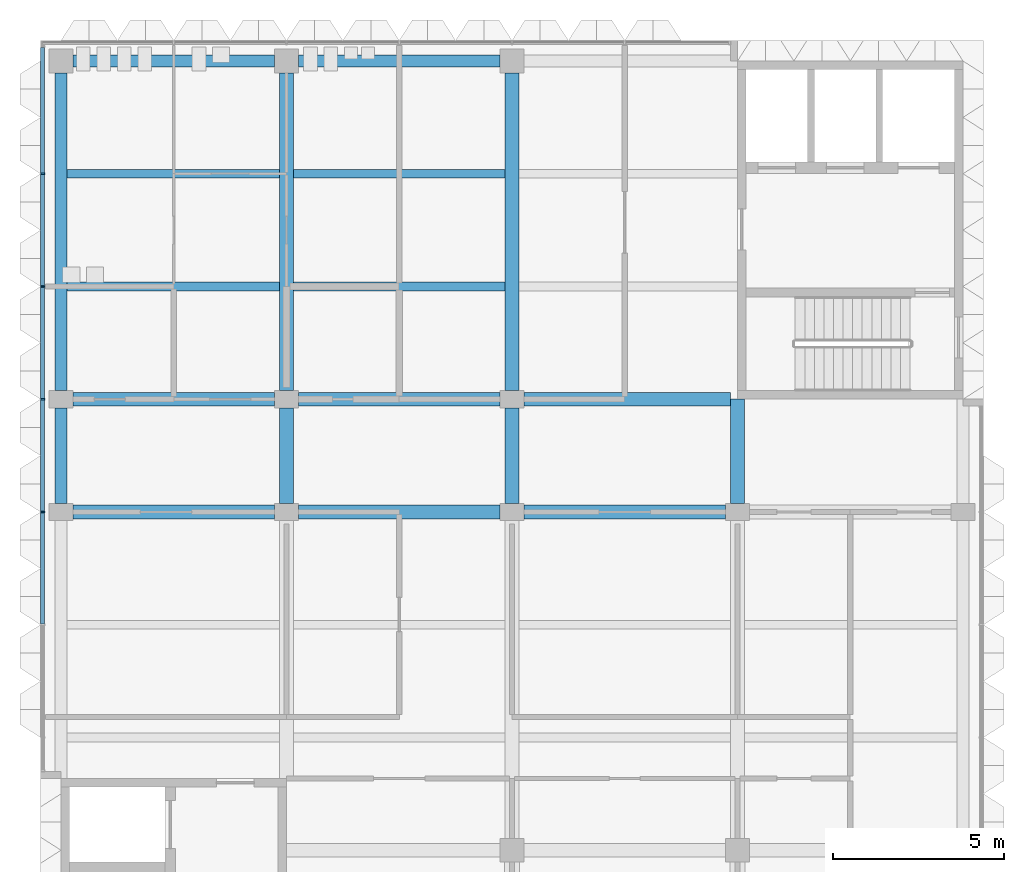
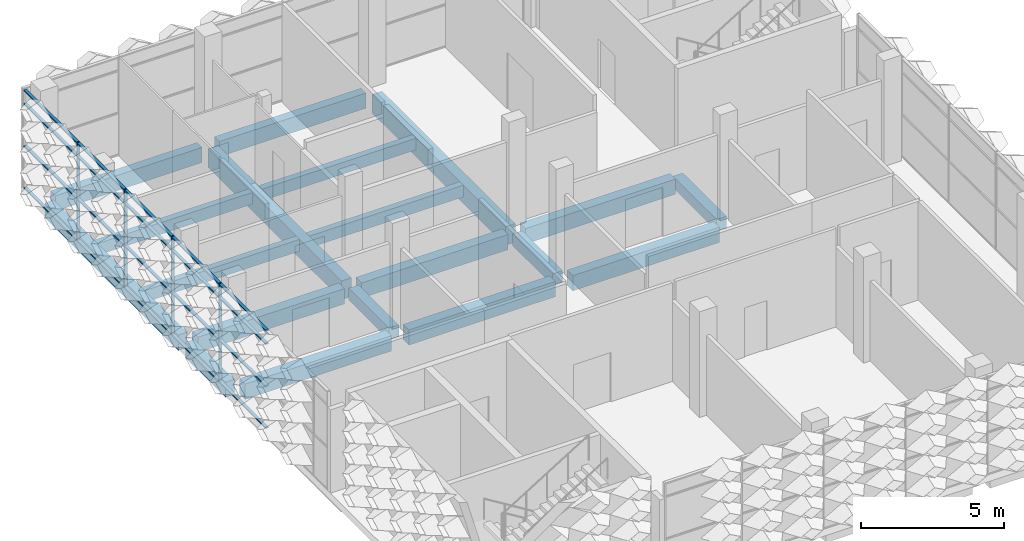
# One storey, part 4 of 28: 24 members, 19 beams, 1 element without a shape of its own.
"""IFC4 building model written with IfcOpenShell, lengths in metres."""

from ifc_helpers import new_model, si_unit, direction, frame, origin, origin_2d, place, context, subcontext, project, spatial, rectangle, extrude, material, material_profile, profile_set, type_object, element, aggregate, save


model = new_model("IFC4")

# Units and contexts
model_context = context("Model", 3, precision=1e-05, world=origin(), true_north=direction((0.0, 1.0)))
body_context = subcontext(model_context, "Body", "Model", "MODEL_VIEW")
ifc_project = project(units=[si_unit("LENGTHUNIT", "METRE"), si_unit("AREAUNIT", "SQUARE_METRE"), si_unit("VOLUMEUNIT", "CUBIC_METRE"), si_unit("PLANEANGLEUNIT", "RADIAN"), si_unit("MASSUNIT", "GRAM", prefix="KILO")], contexts=[model_context])

# Site, building, storey
site_placement = place(None, origin())
site = spatial("IfcSite", under=ifc_project, at=site_placement, CompositionType="ELEMENT")
building_placement = place(site_placement, origin())
building = spatial("IfcBuilding", under=site, at=building_placement, Name="Lantern Court Research Institute", CompositionType="ELEMENT")
storey_placement = place(building_placement, frame((0.0, 0.0, 36.89990234375)))
storey = spatial("IfcBuildingStorey", under=building, at=storey_placement, Name="L08", CompositionType="ELEMENT", Elevation=36.89990234375)

# Curtain wall, members
ifc_material_1 = material(Name="Aluminium alloy 6063-T6", Category="aluminium")
curtain_wall_type = type_object("IfcCurtainWallType", Name="Curtain wall 21250 x 4200 x 120 aluminium frame", PredefinedType="NOTDEFINED", material=ifc_material_1)
curtain_wall_placement = place(storey_placement, origin())
curtain_wall = element("IfcCurtainWall", 1, at=curtain_wall_placement, inside=storey, type_object=curtain_wall_type, Name="Curtain wall CW088", PredefinedType="NOTDEFINED")
ifc_material_2 = material(Name="Aluminium alloy 6063-T6", Category="aluminium")
ifc_material_profile_1 = material_profile(ifc_material_2, rectangle(XDim=0.1201171875, YDim=0.050048828125, at=origin_2d()), Name="Mullion 120 x 50")
ifc_profile_set_1 = profile_set([ifc_material_profile_1], Name="Aluminium alloy 6063-T6")
member_type_1 = type_object("IfcMemberType", Name="Mullion 120 x 50 aluminium", PredefinedType="MULLION", material=ifc_profile_set_1)
member_1_placement = place(storey_placement, frame((52.260009765625, 9.89990234375, 0.0), z_axis=(0.0, 0.0, 1.0), x_axis=(-1.0, 0.0, 0.0)))
member_1 = element("IfcMember", 2, at=member_1_placement, type_object=member_type_1, Name="CW088 mullion 4", PredefinedType="MULLION", context=body_context, shape_type="SweptSolid", body=[
    extrude(rectangle(XDim=0.1201171875, YDim=0.050048828125, at=origin_2d()), origin(), (0.0, 0.0, 1.0), 4.2001953125),
])
member_2_placement = place(storey_placement, frame((52.260009765625, 13.199951171875, 0.0), z_axis=(0.0, 0.0, 1.0), x_axis=(-1.0, 0.0, 0.0)))
member_2 = element("IfcMember", 3, at=member_2_placement, type_object=member_type_1, Name="CW088 mullion 5", PredefinedType="MULLION", context=body_context, shape_type="SweptSolid", body=[
    extrude(rectangle(XDim=0.1201171875, YDim=0.050048828125, at=origin_2d()), origin(), (0.0, 0.0, 1.0), 4.2001953125),
])
member_3_placement = place(storey_placement, frame((52.260009765625, 16.5, 0.0), z_axis=(0.0, 0.0, 1.0), x_axis=(-1.0, 0.0, 0.0)))
member_3 = element("IfcMember", 4, at=member_3_placement, type_object=member_type_1, Name="CW088 mullion 6", PredefinedType="MULLION", context=body_context, shape_type="SweptSolid", body=[
    extrude(rectangle(XDim=0.1201171875, YDim=0.050048828125, at=origin_2d()), origin(), (0.0, 0.0, 1.0), 4.2001953125),
])
member_4_placement = place(storey_placement, frame((52.260009765625, 19.800048828125, 0.0), z_axis=(0.0, 0.0, 1.0), x_axis=(-1.0, 0.0, 0.0)))
member_4 = element("IfcMember", 5, at=member_4_placement, type_object=member_type_1, Name="CW088 mullion 7", PredefinedType="MULLION", context=body_context, shape_type="SweptSolid", body=[
    extrude(rectangle(XDim=0.1201171875, YDim=0.050048828125, at=origin_2d()), origin(), (0.0, 0.0, 1.0), 4.2001953125),
])

# Beams
ifc_material_3 = material(Name="Concrete C40/50", Category="concrete")
ifc_material_profile_2 = material_profile(ifc_material_3, rectangle(XDim=0.39990234375, YDim=0.64990234375, at=origin_2d()), Name="RC beam 400 x 650")
ifc_profile_set_2 = profile_set([ifc_material_profile_2], Name="Concrete C40/50")
beam_type_1 = type_object("IfcBeamType", Name="RC beam 400 x 650", PredefinedType="BEAM", material=ifc_profile_set_2)
beam_1_placement = place(storey_placement, frame((53.14990234375, 9.89990234375, -0.625), z_axis=(1.0, 0.0, 0.0), x_axis=(0.0, 1.0, 0.0)))
element("IfcBeam", 6, at=beam_1_placement, inside=storey, type_object=beam_type_1, Name="Beam L08 grid B/9-10", PredefinedType="BEAM", context=body_context, shape_type="SweptSolid", body=[
    extrude(rectangle(XDim=0.39990234375, YDim=0.64990234375, at=origin_2d()), origin(), (0.0, 0.0, 1.0), 5.900146484375),
])
for number, where, z_axis, x_axis, name in (
    (7, (59.75, 9.89990234375, -0.625), (1.0, 0.0, 0.0), (0.0, 1.0, 0.0), "Beam L08 grid B/10-11"),
    (8, (66.35009765625, 9.89990234375, -0.625), (1.0, 0.0, 0.0), (0.0, 1.0, 0.0), "Beam L08 grid B/11-12"),
):
    element("IfcBeam", number, at=place(storey_placement, frame(where, z_axis=z_axis, x_axis=x_axis)), inside=storey, type_object=beam_type_1, Name=name, PredefinedType="BEAM", context=body_context, shape_type="SweptSolid", body=[
        extrude(rectangle(XDim=0.39990234375, YDim=0.64990234375, at=origin_2d()), origin(), (0.0, 0.0, 1.0), 5.89990234375),
    ])
beam_2_placement = place(storey_placement, frame((53.14990234375, 13.199951171875, -0.625), z_axis=(1.0, 0.0, 0.0), x_axis=(0.0, 1.0, 0.0)))
element("IfcBeam", 9, at=beam_2_placement, inside=storey, type_object=beam_type_1, Name="Beam L08 grid C/9-10", PredefinedType="BEAM", context=body_context, shape_type="SweptSolid", body=[
    extrude(rectangle(XDim=0.39990234375, YDim=0.64990234375, at=origin_2d()), origin(), (0.0, 0.0, 1.0), 5.900146484375),
])
beam_3_placement = place(storey_placement, frame((59.75, 13.199951171875, -0.625), z_axis=(1.0, 0.0, 0.0), x_axis=(0.0, 1.0, 0.0)))
element("IfcBeam", 10, at=beam_3_placement, inside=storey, type_object=beam_type_1, Name="Beam L08 grid C/10-11", PredefinedType="BEAM", context=body_context, shape_type="SweptSolid", body=[
    extrude(rectangle(XDim=0.39990234375, YDim=0.64990234375, at=origin_2d()), origin(), (0.0, 0.0, 1.0), 5.89990234375),
])
beam_4_placement = place(storey_placement, frame((66.35009765625, 13.199951171875, -0.625), z_axis=(1.0, 0.0, 0.0), x_axis=(0.0, 1.0, 0.0)))
element("IfcBeam", 11, at=beam_4_placement, inside=storey, type_object=beam_type_1, Name="Beam L08 grid C/11-12", PredefinedType="BEAM", context=body_context, shape_type="SweptSolid", body=[
    extrude(rectangle(XDim=0.39990234375, YDim=0.64990234375, at=origin_2d()), origin(), (0.0, 0.0, 1.0), 6.0498046875),
])
ifc_material_4 = material(Name="Concrete C40/50", Category="concrete")
ifc_material_profile_3 = material_profile(ifc_material_4, rectangle(XDim=0.35009765625, YDim=0.64990234375, at=origin_2d()), Name="RC beam 350 x 650")
ifc_profile_set_3 = profile_set([ifc_material_profile_3], Name="Concrete C40/50")
beam_type_2 = type_object("IfcBeamType", Name="RC edge beam 350 x 650", PredefinedType="BEAM", material=ifc_profile_set_3)
beam_5_placement = place(storey_placement, frame((52.800048828125, 10.14990234375, -0.625), z_axis=(0.0, 1.0, 0.0), x_axis=(-1.0, 0.0, 0.0)))
element("IfcBeam", 12, at=beam_5_placement, inside=storey, type_object=beam_type_2, Name="Edge beam L08 grid 9/B-C", PredefinedType="BEAM", context=body_context, shape_type="SweptSolid", body=[
    extrude(rectangle(XDim=0.35009765625, YDim=0.64990234375, at=origin_2d()), origin(), (0.0, 0.0, 1.0), 2.800048828125),
])
beam_6_placement = place(storey_placement, frame((52.800048828125, 13.449951171875, -0.625), z_axis=(0.0, 1.0, 0.0), x_axis=(-1.0, 0.0, 0.0)))
element("IfcBeam", 13, at=beam_6_placement, inside=storey, type_object=beam_type_2, Name="Edge beam L08 grid 9/C-D", PredefinedType="BEAM", context=body_context, shape_type="SweptSolid", body=[
    extrude(rectangle(XDim=0.35009765625, YDim=0.64990234375, at=origin_2d()), origin(), (0.0, 0.0, 1.0), 9.300048828125),
])
beam_7_placement = place(storey_placement, frame((53.14990234375, 23.10009765625, -0.625), z_axis=(1.0, 0.0, 0.0), x_axis=(0.0, 1.0, 0.0)))
element("IfcBeam", 14, at=beam_7_placement, inside=storey, type_object=beam_type_2, Name="Edge beam L08 grid D/9-10", PredefinedType="BEAM", context=body_context, shape_type="SweptSolid", body=[
    extrude(rectangle(XDim=0.35009765625, YDim=0.64990234375, at=origin_2d()), origin(), (0.0, 0.0, 1.0), 5.900146484375),
])
beam_8_placement = place(storey_placement, frame((59.75, 23.10009765625, -0.625), z_axis=(1.0, 0.0, 0.0), x_axis=(0.0, 1.0, 0.0)))
element("IfcBeam", 15, at=beam_8_placement, inside=storey, type_object=beam_type_2, Name="Edge beam L08 grid D/10-11", PredefinedType="BEAM", context=body_context, shape_type="SweptSolid", body=[
    extrude(rectangle(XDim=0.35009765625, YDim=0.64990234375, at=origin_2d()), origin(), (0.0, 0.0, 1.0), 5.89990234375),
])
ifc_material_5 = material(Name="Concrete C40/50", Category="concrete")
ifc_material_profile_4 = material_profile(ifc_material_5, rectangle(XDim=0.39990234375, YDim=0.800048828125, at=origin_2d()), Name="RC beam 400 x 800")
ifc_profile_set_4 = profile_set([ifc_material_profile_4], Name="Concrete C40/50")
beam_type_3 = type_object("IfcBeamType", Name="RC girder 400 x 800", PredefinedType="BEAM", material=ifc_profile_set_4)
for number, where, z_axis, x_axis, name in (
    (16, (59.39990234375, 13.449951171875, -0.699951171875), (0.0, 1.0, 0.0), (-1.0, 0.0, 0.0), "Girder L08 grid 10/C-D"),
    (17, (66.0, 13.449951171875, -0.699951171875), (0.0, 1.0, 0.0), (-1.0, 0.0, 0.0), "Girder L08 grid 11/C-D"),
):
    element("IfcBeam", number, at=place(storey_placement, frame(where, z_axis=z_axis, x_axis=x_axis)), inside=storey, type_object=beam_type_3, Name=name, PredefinedType="BEAM", context=body_context, shape_type="SweptSolid", body=[
        extrude(rectangle(XDim=0.39990234375, YDim=0.800048828125, at=origin_2d()), origin(), (0.0, 0.0, 1.0), 9.300048828125),
    ])
ifc_material_6 = material(Name="Concrete C40/50", Category="concrete")
ifc_material_profile_5 = material_profile(ifc_material_6, rectangle(XDim=0.25, YDim=0.5, at=origin_2d()), Name="RC beam 250 x 500")
ifc_profile_set_5 = profile_set([ifc_material_profile_5], Name="Concrete C40/50")
beam_type_4 = type_object("IfcBeamType", Name="RC secondary beam 250 x 500", PredefinedType="BEAM", material=ifc_profile_set_5)
beam_9_placement = place(storey_placement, frame((52.97509765625, 16.5, -0.5498046875), z_axis=(1.0, 0.0, 0.0), x_axis=(0.0, 1.0, 0.0)))
element("IfcBeam", 18, at=beam_9_placement, inside=storey, type_object=beam_type_4, Name="Secondary beam L08 grids 9-10 / C-D, line 1", PredefinedType="BEAM", context=body_context, shape_type="SweptSolid", body=[
    extrude(rectangle(XDim=0.25, YDim=0.5, at=origin_2d()), origin(), (0.0, 0.0, 1.0), 6.224853515625),
])
beam_10_placement = place(storey_placement, frame((59.60009765625, 16.5, -0.5498046875), z_axis=(1.0, 0.0, 0.0), x_axis=(0.0, 1.0, 0.0)))
element("IfcBeam", 19, at=beam_10_placement, inside=storey, type_object=beam_type_4, Name="Secondary beam L08 grids 10-11 / C-D, line 1", PredefinedType="BEAM", context=body_context, shape_type="SweptSolid", body=[
    extrude(rectangle(XDim=0.25, YDim=0.5, at=origin_2d()), origin(), (0.0, 0.0, 1.0), 6.199951171875),
])
beam_11_placement = place(storey_placement, frame((52.97509765625, 19.800048828125, -0.5498046875), z_axis=(1.0, 0.0, 0.0), x_axis=(0.0, 1.0, 0.0)))
element("IfcBeam", 20, at=beam_11_placement, inside=storey, type_object=beam_type_4, Name="Secondary beam L08 grids 9-10 / C-D, line 2", PredefinedType="BEAM", context=body_context, shape_type="SweptSolid", body=[
    extrude(rectangle(XDim=0.25, YDim=0.5, at=origin_2d()), origin(), (0.0, 0.0, 1.0), 6.224853515625),
])
beam_12_placement = place(storey_placement, frame((59.60009765625, 19.800048828125, -0.5498046875), z_axis=(1.0, 0.0, 0.0), x_axis=(0.0, 1.0, 0.0)))
element("IfcBeam", 21, at=beam_12_placement, inside=storey, type_object=beam_type_4, Name="Secondary beam L08 grids 10-11 / C-D, line 2", PredefinedType="BEAM", context=body_context, shape_type="SweptSolid", body=[
    extrude(rectangle(XDim=0.25, YDim=0.5, at=origin_2d()), origin(), (0.0, 0.0, 1.0), 6.199951171875),
])
ifc_material_7 = material(Name="Concrete C40/50", Category="concrete")
ifc_material_profile_6 = material_profile(ifc_material_7, rectangle(XDim=0.39990234375, YDim=0.5, at=origin_2d()), Name="RC beam 400 x 500")
ifc_profile_set_6 = profile_set([ifc_material_profile_6], Name="Concrete C40/50")
beam_type_5 = type_object("IfcBeamType", Name="RC spine beam 400 x 500", PredefinedType="BEAM", material=ifc_profile_set_6)
for number, where, z_axis, x_axis, name in (
    (22, (59.39990234375, 10.14990234375, -0.5498046875), (0.0, 1.0, 0.0), (-1.0, 0.0, 0.0), "Beam L08 grid 10/B-C"),
    (23, (66.0, 10.14990234375, -0.5498046875), (0.0, 1.0, 0.0), (-1.0, 0.0, 0.0), "Beam L08 grid 11/B-C"),
):
    element("IfcBeam", number, at=place(storey_placement, frame(where, z_axis=z_axis, x_axis=x_axis)), inside=storey, type_object=beam_type_5, Name=name, PredefinedType="BEAM", context=body_context, shape_type="SweptSolid", body=[
        extrude(rectangle(XDim=0.39990234375, YDim=0.5, at=origin_2d()), origin(), (0.0, 0.0, 1.0), 2.800048828125),
    ])
beam_13_placement = place(storey_placement, frame((72.60009765625, 10.14990234375, -0.5498046875), z_axis=(0.0, 1.0, 0.0), x_axis=(-1.0, 0.0, 0.0)))
element("IfcBeam", 24, at=beam_13_placement, inside=storey, type_object=beam_type_5, Name="Beam L08 grid 12/B-C", PredefinedType="BEAM", context=body_context, shape_type="SweptSolid", body=[
    extrude(rectangle(XDim=0.39990234375, YDim=0.5, at=origin_2d()), origin(), (0.0, 0.0, 1.0), 3.050048828125),
])

# Member
ifc_material_8 = material(Name="Aluminium alloy 6063-T6", Category="aluminium")
ifc_material_profile_7 = material_profile(ifc_material_8, rectangle(XDim=0.1201171875, YDim=0.050048828125, at=origin_2d()), Name="Transom 120 x 50")
ifc_profile_set_7 = profile_set([ifc_material_profile_7], Name="Aluminium alloy 6063-T6")
member_type_2 = type_object("IfcMemberType", Name="Transom 120 x 50 aluminium", PredefinedType="USERDEFINED", material=ifc_profile_set_7)
member_5_placement = place(storey_placement, frame((52.260009765625, 6.625, 0.025146484375), z_axis=(0.0, 1.0, 0.0), x_axis=(-1.0, 0.0, 0.0)))
member_5 = element("IfcMember", 25, at=member_5_placement, type_object=member_type_2, Name="CW088 transom 3.1", ObjectType="TRANSOM", PredefinedType="USERDEFINED", context=body_context, shape_type="SweptSolid", body=[
    extrude(rectangle(XDim=0.1201171875, YDim=0.050048828125, at=origin_2d()), origin(), (0.0, 0.0, 1.0), 3.25),
])

member_6_placement = place(storey_placement, frame((52.260009765625, 6.625, 1.800048828125), z_axis=(0.0, 1.0, 0.0), x_axis=(-1.0, 0.0, 0.0)))
member_6 = element("IfcMember", 26, at=member_6_placement, type_object=member_type_2, Name="CW088 transom 3.2", ObjectType="TRANSOM", PredefinedType="USERDEFINED", context=body_context, shape_type="SweptSolid", body=[
    extrude(rectangle(XDim=0.1201171875, YDim=0.050048828125, at=origin_2d()), origin(), (0.0, 0.0, 1.0), 3.25),
])

member_7_placement = place(storey_placement, frame((52.260009765625, 6.625, 3.60009765625), z_axis=(0.0, 1.0, 0.0), x_axis=(-1.0, 0.0, 0.0)))
member_7 = element("IfcMember", 27, at=member_7_placement, type_object=member_type_2, Name="CW088 transom 3.3", ObjectType="TRANSOM", PredefinedType="USERDEFINED", context=body_context, shape_type="SweptSolid", body=[
    extrude(rectangle(XDim=0.1201171875, YDim=0.050048828125, at=origin_2d()), origin(), (0.0, 0.0, 1.0), 3.25),
])

member_8_placement = place(storey_placement, frame((52.260009765625, 6.625, 4.175048828125), z_axis=(0.0, 1.0, 0.0), x_axis=(-1.0, 0.0, 0.0)))
member_8 = element("IfcMember", 28, at=member_8_placement, type_object=member_type_2, Name="CW088 transom 3.4", ObjectType="TRANSOM", PredefinedType="USERDEFINED", context=body_context, shape_type="SweptSolid", body=[
    extrude(rectangle(XDim=0.1201171875, YDim=0.050048828125, at=origin_2d()), origin(), (0.0, 0.0, 1.0), 3.25),
])

member_9_placement = place(storey_placement, frame((52.260009765625, 9.925048828125, 0.025146484375), z_axis=(0.0, 1.0, 0.0), x_axis=(-1.0, 0.0, 0.0)))
member_9 = element("IfcMember", 29, at=member_9_placement, type_object=member_type_2, Name="CW088 transom 4.1", ObjectType="TRANSOM", PredefinedType="USERDEFINED", context=body_context, shape_type="SweptSolid", body=[
    extrude(rectangle(XDim=0.1201171875, YDim=0.050048828125, at=origin_2d()), origin(), (0.0, 0.0, 1.0), 3.25),
])

member_10_placement = place(storey_placement, frame((52.260009765625, 9.925048828125, 1.800048828125), z_axis=(0.0, 1.0, 0.0), x_axis=(-1.0, 0.0, 0.0)))
member_10 = element("IfcMember", 30, at=member_10_placement, type_object=member_type_2, Name="CW088 transom 4.2", ObjectType="TRANSOM", PredefinedType="USERDEFINED", context=body_context, shape_type="SweptSolid", body=[
    extrude(rectangle(XDim=0.1201171875, YDim=0.050048828125, at=origin_2d()), origin(), (0.0, 0.0, 1.0), 3.25),
])

member_11_placement = place(storey_placement, frame((52.260009765625, 9.925048828125, 3.60009765625), z_axis=(0.0, 1.0, 0.0), x_axis=(-1.0, 0.0, 0.0)))
member_11 = element("IfcMember", 31, at=member_11_placement, type_object=member_type_2, Name="CW088 transom 4.3", ObjectType="TRANSOM", PredefinedType="USERDEFINED", context=body_context, shape_type="SweptSolid", body=[
    extrude(rectangle(XDim=0.1201171875, YDim=0.050048828125, at=origin_2d()), origin(), (0.0, 0.0, 1.0), 3.25),
])

member_12_placement = place(storey_placement, frame((52.260009765625, 9.925048828125, 4.175048828125), z_axis=(0.0, 1.0, 0.0), x_axis=(-1.0, 0.0, 0.0)))
member_12 = element("IfcMember", 32, at=member_12_placement, type_object=member_type_2, Name="CW088 transom 4.4", ObjectType="TRANSOM", PredefinedType="USERDEFINED", context=body_context, shape_type="SweptSolid", body=[
    extrude(rectangle(XDim=0.1201171875, YDim=0.050048828125, at=origin_2d()), origin(), (0.0, 0.0, 1.0), 3.25),
])

member_13_placement = place(storey_placement, frame((52.260009765625, 13.22509765625, 0.025146484375), z_axis=(0.0, 1.0, 0.0), x_axis=(-1.0, 0.0, 0.0)))
member_13 = element("IfcMember", 33, at=member_13_placement, type_object=member_type_2, Name="CW088 transom 5.1", ObjectType="TRANSOM", PredefinedType="USERDEFINED", context=body_context, shape_type="SweptSolid", body=[
    extrude(rectangle(XDim=0.1201171875, YDim=0.050048828125, at=origin_2d()), origin(), (0.0, 0.0, 1.0), 3.25),
])

member_14_placement = place(storey_placement, frame((52.260009765625, 13.22509765625, 1.800048828125), z_axis=(0.0, 1.0, 0.0), x_axis=(-1.0, 0.0, 0.0)))
member_14 = element("IfcMember", 34, at=member_14_placement, type_object=member_type_2, Name="CW088 transom 5.2", ObjectType="TRANSOM", PredefinedType="USERDEFINED", context=body_context, shape_type="SweptSolid", body=[
    extrude(rectangle(XDim=0.1201171875, YDim=0.050048828125, at=origin_2d()), origin(), (0.0, 0.0, 1.0), 3.25),
])

member_15_placement = place(storey_placement, frame((52.260009765625, 13.22509765625, 3.60009765625), z_axis=(0.0, 1.0, 0.0), x_axis=(-1.0, 0.0, 0.0)))
member_15 = element("IfcMember", 35, at=member_15_placement, type_object=member_type_2, Name="CW088 transom 5.3", ObjectType="TRANSOM", PredefinedType="USERDEFINED", context=body_context, shape_type="SweptSolid", body=[
    extrude(rectangle(XDim=0.1201171875, YDim=0.050048828125, at=origin_2d()), origin(), (0.0, 0.0, 1.0), 3.25),
])

member_16_placement = place(storey_placement, frame((52.260009765625, 13.22509765625, 4.175048828125), z_axis=(0.0, 1.0, 0.0), x_axis=(-1.0, 0.0, 0.0)))
member_16 = element("IfcMember", 36, at=member_16_placement, type_object=member_type_2, Name="CW088 transom 5.4", ObjectType="TRANSOM", PredefinedType="USERDEFINED", context=body_context, shape_type="SweptSolid", body=[
    extrude(rectangle(XDim=0.1201171875, YDim=0.050048828125, at=origin_2d()), origin(), (0.0, 0.0, 1.0), 3.25),
])

member_17_placement = place(storey_placement, frame((52.260009765625, 16.52490234375, 0.025146484375), z_axis=(0.0, 1.0, 0.0), x_axis=(-1.0, 0.0, 0.0)))
member_17 = element("IfcMember", 37, at=member_17_placement, type_object=member_type_2, Name="CW088 transom 6.1", ObjectType="TRANSOM", PredefinedType="USERDEFINED", context=body_context, shape_type="SweptSolid", body=[
    extrude(rectangle(XDim=0.1201171875, YDim=0.050048828125, at=origin_2d()), origin(), (0.0, 0.0, 1.0), 3.25),
])

member_18_placement = place(storey_placement, frame((52.260009765625, 16.52490234375, 1.800048828125), z_axis=(0.0, 1.0, 0.0), x_axis=(-1.0, 0.0, 0.0)))
member_18 = element("IfcMember", 38, at=member_18_placement, type_object=member_type_2, Name="CW088 transom 6.2", ObjectType="TRANSOM", PredefinedType="USERDEFINED", context=body_context, shape_type="SweptSolid", body=[
    extrude(rectangle(XDim=0.1201171875, YDim=0.050048828125, at=origin_2d()), origin(), (0.0, 0.0, 1.0), 3.25),
])

member_19_placement = place(storey_placement, frame((52.260009765625, 16.52490234375, 3.60009765625), z_axis=(0.0, 1.0, 0.0), x_axis=(-1.0, 0.0, 0.0)))
member_19 = element("IfcMember", 39, at=member_19_placement, type_object=member_type_2, Name="CW088 transom 6.3", ObjectType="TRANSOM", PredefinedType="USERDEFINED", context=body_context, shape_type="SweptSolid", body=[
    extrude(rectangle(XDim=0.1201171875, YDim=0.050048828125, at=origin_2d()), origin(), (0.0, 0.0, 1.0), 3.25),
])

member_20_placement = place(storey_placement, frame((52.260009765625, 16.52490234375, 4.175048828125), z_axis=(0.0, 1.0, 0.0), x_axis=(-1.0, 0.0, 0.0)))
member_20 = element("IfcMember", 40, at=member_20_placement, type_object=member_type_2, Name="CW088 transom 6.4", ObjectType="TRANSOM", PredefinedType="USERDEFINED", context=body_context, shape_type="SweptSolid", body=[
    extrude(rectangle(XDim=0.1201171875, YDim=0.050048828125, at=origin_2d()), origin(), (0.0, 0.0, 1.0), 3.25),
])

member_21_placement = place(storey_placement, frame((52.260009765625, 19.824951171875, 0.025146484375), z_axis=(0.0, 1.0, 0.0), x_axis=(-1.0, 0.0, 0.0)))
member_21 = element("IfcMember", 41, at=member_21_placement, type_object=member_type_2, Name="CW088 transom 7.1", ObjectType="TRANSOM", PredefinedType="USERDEFINED", context=body_context, shape_type="SweptSolid", body=[
    extrude(rectangle(XDim=0.1201171875, YDim=0.050048828125, at=origin_2d()), origin(), (0.0, 0.0, 1.0), 3.675048828125),
])

member_22_placement = place(storey_placement, frame((52.260009765625, 19.824951171875, 1.800048828125), z_axis=(0.0, 1.0, 0.0), x_axis=(-1.0, 0.0, 0.0)))
member_22 = element("IfcMember", 42, at=member_22_placement, type_object=member_type_2, Name="CW088 transom 7.2", ObjectType="TRANSOM", PredefinedType="USERDEFINED", context=body_context, shape_type="SweptSolid", body=[
    extrude(rectangle(XDim=0.1201171875, YDim=0.050048828125, at=origin_2d()), origin(), (0.0, 0.0, 1.0), 3.675048828125),
])

member_23_placement = place(storey_placement, frame((52.260009765625, 19.824951171875, 3.60009765625), z_axis=(0.0, 1.0, 0.0), x_axis=(-1.0, 0.0, 0.0)))
member_23 = element("IfcMember", 43, at=member_23_placement, type_object=member_type_2, Name="CW088 transom 7.3", ObjectType="TRANSOM", PredefinedType="USERDEFINED", context=body_context, shape_type="SweptSolid", body=[
    extrude(rectangle(XDim=0.1201171875, YDim=0.050048828125, at=origin_2d()), origin(), (0.0, 0.0, 1.0), 3.675048828125),
])

member_24_placement = place(storey_placement, frame((52.260009765625, 19.824951171875, 4.175048828125), z_axis=(0.0, 1.0, 0.0), x_axis=(-1.0, 0.0, 0.0)))
member_24 = element("IfcMember", 44, at=member_24_placement, type_object=member_type_2, Name="CW088 transom 7.4", ObjectType="TRANSOM", PredefinedType="USERDEFINED", context=body_context, shape_type="SweptSolid", body=[
    extrude(rectangle(XDim=0.1201171875, YDim=0.050048828125, at=origin_2d()), origin(), (0.0, 0.0, 1.0), 3.675048828125),
])

aggregate(curtain_wall, [member_1, member_2, member_3, member_4, member_5, member_6, member_7, member_8, member_9, member_10, member_11, member_12, member_13, member_14, member_15, member_16, member_17, member_18, member_19, member_20, member_21, member_22, member_23, member_24])

save(model, "model.ifc")
